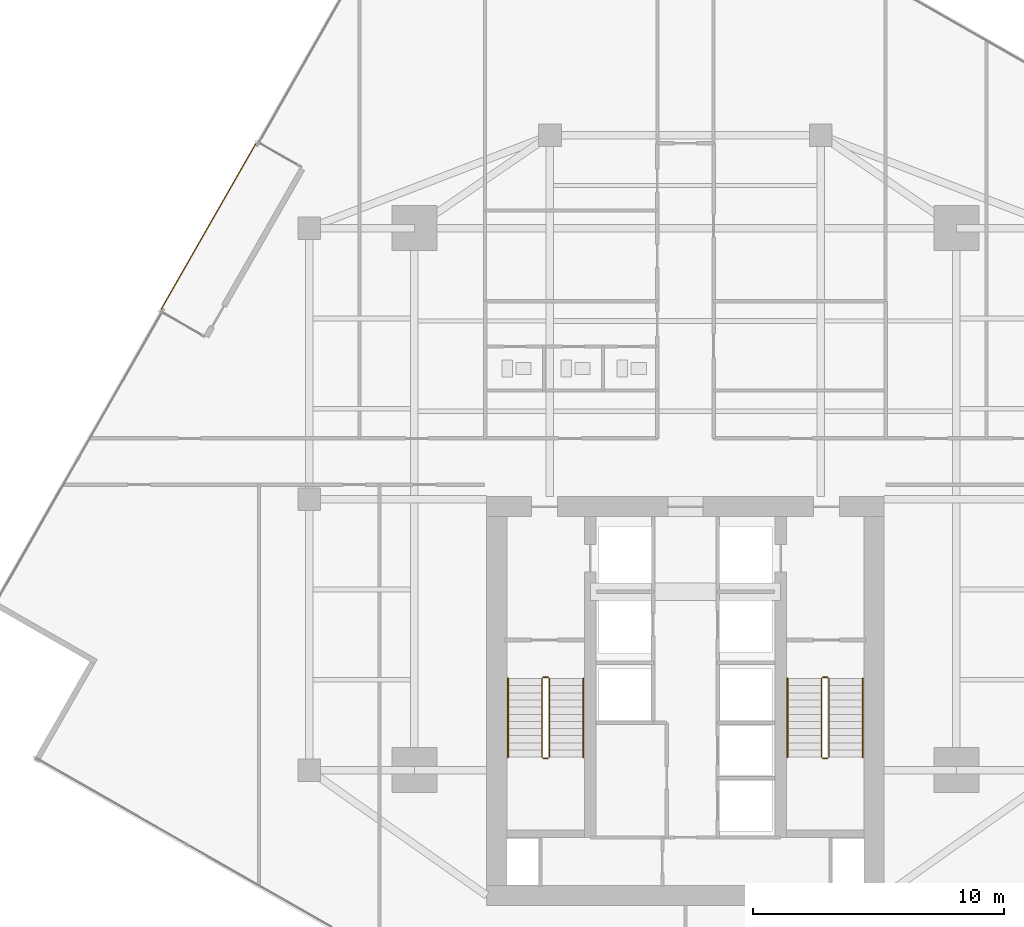
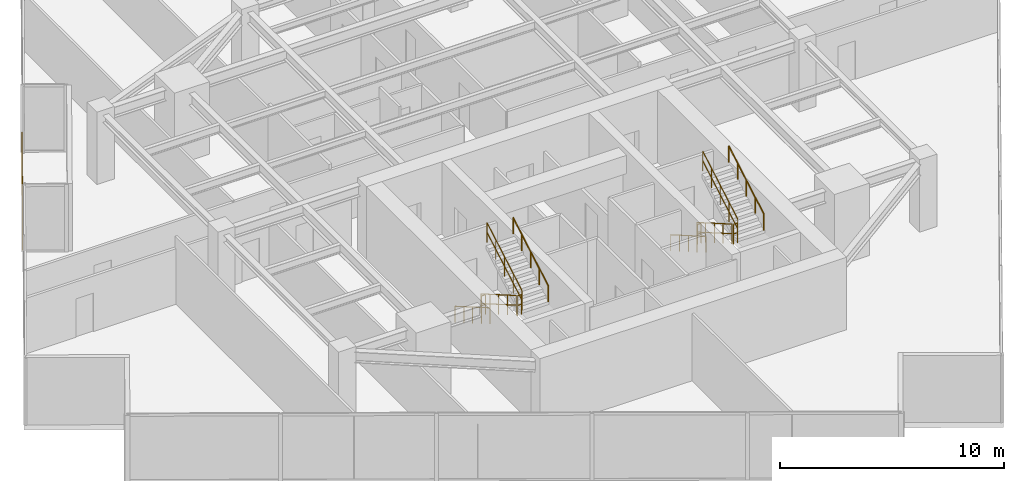
# One storey, part 23 of 24: 13 railings.
"""IFC4 building model written with IfcOpenShell, lengths in metres."""

import ifcopenshell
import ifcopenshell.guid

model = None  # the IFC model being written
_history = None  # IfcOwnerHistory: only IFC2X3 demands one
_inside = {}  # id of a spatial element -> (the spatial element, [elements in it])
_under = {}  # id of a project, library or spatial element -> (it, [spatial elements below it])
_declared = {}  # id of a project -> (the project, [libraries it declares])
_typed = {}  # id of a type object -> (the type object, [elements of that type])
_made_of = {}  # id of a material, layer set ... -> (it, [elements and type objects made of it])


def new_model(schema):
    """Start an empty IFC model of exactly this schema.

    Asked for "IFC4X3", IfcOpenShell would pick the latest addendum, in which some entities
    have other attributes; the version numbers below select the first issue.
    IFC2X3 requires an IfcOwnerHistory on every rooted entity: one is made here for all.
    """
    global model, _history
    if schema == "IFC4X3":
        model = ifcopenshell.file(schema_version=(4, 3, 0, 0))
    else:
        model = ifcopenshell.file(schema=schema)
    _inside.clear()
    _under.clear()
    _declared.clear()
    _typed.clear()
    _made_of.clear()
    _history = None
    if model.schema == "IFC2X3":
        org = make("IfcOrganization", Name="unknown")
        user = make(
            "IfcPersonAndOrganization",
            ThePerson=make("IfcPerson", FamilyName="unknown"),
            TheOrganization=org,
        )
        app = make(
            "IfcApplication",
            ApplicationDeveloper=org,
            Version="unknown",
            ApplicationFullName="unknown",
            ApplicationIdentifier="unknown",
        )
        _history = make(
            "IfcOwnerHistory",
            OwningUser=user,
            OwningApplication=app,
            ChangeAction="ADDED",
            CreationDate=0,
        )
    return model


def make(cls, **values):
    """One entity of the class cls with the attributes given. An attribute that is None is left unset."""
    return model.create_entity(
        cls, **{name: value for name, value in values.items() if value is not None}
    )


def rooted(cls, **values):
    """An entity with a GlobalId (a new one), such as an element, a storey or a relation."""
    return make(cls, GlobalId=ifcopenshell.guid.new(), OwnerHistory=_history, **values)


def si_unit(unit_type, name, prefix=None):
    """IfcSIUnit, for example si_unit("LENGTHUNIT", "METRE", prefix="MILLI")."""
    return make("IfcSIUnit", UnitType=unit_type, Prefix=prefix, Name=name)


def assignment(units):
    """IfcUnitAssignment: the units of a project."""
    return None if units is None else make("IfcUnitAssignment", Units=units)


def point(xyz):
    """IfcCartesianPoint."""
    return None if xyz is None else make("IfcCartesianPoint", Coordinates=xyz)


def direction(xyz):
    """IfcDirection."""
    return None if xyz is None else make("IfcDirection", DirectionRatios=xyz)


def frame(location, z_axis=None, x_axis=None):
    """IfcAxis2Placement3D, a coordinate frame: its origin and axes. An axis left out is left unset."""
    return make(
        "IfcAxis2Placement3D",
        Location=point(location),
        Axis=direction(z_axis),
        RefDirection=direction(x_axis),
    )


def frame_2d(location, x_axis=None):
    """IfcAxis2Placement2D, a coordinate frame in the plane: its origin and x axis."""
    return make(
        "IfcAxis2Placement2D", Location=point(location), RefDirection=direction(x_axis)
    )


def origin():
    """The frame at (0, 0, 0) with its axes left unset."""
    return frame((0.0, 0.0, 0.0))


def origin_2d():
    """The frame at (0, 0) in the plane with its x axis left unset."""
    return frame_2d((0.0, 0.0))


def place(relative_to, where):
    """IfcLocalPlacement: puts the frame where relative to a parent placement (None: the world)."""
    return make(
        "IfcLocalPlacement", PlacementRelTo=relative_to, RelativePlacement=where
    )


def context(
    kind, dimensions, precision=None, world=None, true_north=None, identifier=None
):
    """IfcGeometricRepresentationContext, for example the 3D "Model" context."""
    return make(
        "IfcGeometricRepresentationContext",
        ContextIdentifier=identifier,
        ContextType=kind,
        CoordinateSpaceDimension=dimensions,
        Precision=precision,
        WorldCoordinateSystem=world,
        TrueNorth=true_north,
    )


def subcontext(parent, identifier, kind, view, scale=None):
    """IfcGeometricRepresentationSubContext, for example "Body" below "Model"."""
    return make(
        "IfcGeometricRepresentationSubContext",
        ContextIdentifier=identifier,
        ContextType=kind,
        ParentContext=parent,
        TargetScale=scale,
        TargetView=view,
    )


def project(units=None, contexts=None):
    """IfcProject with its units and contexts."""
    return rooted(
        "IfcProject",
        Name="project",
        RepresentationContexts=contexts,
        UnitsInContext=assignment(units),
    )


def spatial(cls, under=None, at=None, **own):
    """A site, building, storey or space (cls), placed at a placement, below another one or the project."""
    s = rooted(cls, ObjectPlacement=at, **own)
    if under is not None:
        _under.setdefault(under.id(), (under, []))[1].append(s)
    return s


def profile(cls, at=None, kind="AREA", **sizes):
    """A parametric profile (cls). Its sizes go by their IFC names, for example OverallWidth=200.0."""
    return make(cls, ProfileType=kind, Position=at, **sizes)


def circle(**sizes):
    """IfcCircleProfileDef."""
    return profile("IfcCircleProfileDef", **sizes)


def extrude(swept, where, along, depth):
    """IfcExtrudedAreaSolid: the profile swept, set in the frame where, extruded along a direction by depth."""
    return make(
        "IfcExtrudedAreaSolid",
        SweptArea=swept,
        Position=where,
        ExtrudedDirection=direction(along),
        Depth=depth,
    )


def shape(context_of_items, identifier, shape_type, items):
    """IfcShapeRepresentation: the items that make up one representation, for example the "Body"."""
    return make(
        "IfcShapeRepresentation",
        ContextOfItems=context_of_items,
        RepresentationIdentifier=identifier,
        RepresentationType=shape_type,
        Items=items,
    )


def material(Name=None, Category=None):
    """IfcMaterial."""
    return make("IfcMaterial", Name=Name, Category=Category)


def layer(
    of_material, thickness, ventilated=None, Name=None, Category=None, Priority=None
):
    """IfcMaterialLayer: one layer of a wall or slab, of a material (None: an air gap)."""
    return make(
        "IfcMaterialLayer",
        Material=of_material,
        LayerThickness=thickness,
        IsVentilated=ventilated,
        Name=Name,
        Category=Category,
        Priority=Priority,
    )


def layer_set(layers, Name=None):
    """IfcMaterialLayerSet."""
    return make("IfcMaterialLayerSet", MaterialLayers=layers, LayerSetName=Name)


def made_of(thing, what):
    """Note that an element or type object is made of a material, layer set ...; save() writes the relation."""
    if what is not None:
        _made_of.setdefault(what.id(), (what, []))[1].append(thing)
    return thing


def type_object(cls, material=None, **own):
    """A type object (cls), such as IfcWallType, which elements share."""
    return made_of(rooted(cls, **own), material)


def element(
    cls,
    number,
    at=None,
    inside=None,
    cuts=None,
    type_object=None,
    material=None,
    context=None,
    identifier="Body",
    shape_type=None,
    held_by="IfcProductDefinitionShape",
    body=None,
    shapes=None,
    **own,
):
    """One element of the class cls, such as IfcWall. Its Tag is "e" and its number.

    at: its placement. inside: the storey or other place that contains it. cuts: it is an
    opening in that element (IfcRelVoidsElement). A single representation is given by context,
    identifier, shape_type and body (its items); several are given by shapes. held_by: the class
    of the entity that holds the representations. save() writes the other relations.
    """
    e = rooted(cls, Tag="e%d" % number, ObjectPlacement=at, **own)
    if body is not None:
        shapes = [shape(context, identifier, shape_type, body)]
    if shapes is not None:
        e.Representation = make(held_by, Representations=shapes)
    if inside is not None:
        _inside.setdefault(inside.id(), (inside, []))[1].append(e)
    if cuts is not None:
        rooted(
            "IfcRelVoidsElement", RelatingBuildingElement=cuts, RelatedOpeningElement=e
        )
    if type_object is not None:
        _typed.setdefault(type_object.id(), (type_object, []))[1].append(e)
    return made_of(e, material)


def aggregate(whole, parts):
    """IfcRelAggregates: a whole, such as a stair, and the parts it consists of."""
    return rooted("IfcRelAggregates", RelatingObject=whole, RelatedObjects=parts)


def save(model, path):
    """Write the relations noted so far, then the file.

    IfcRelAggregates (storeys below a building ...), IfcRelContainedInSpatialStructure (elements
    in a storey), IfcRelDefinesByType, IfcRelAssociatesMaterial and IfcRelDeclares: one each for
    every whole, place, type object, material and project.
    """
    for whole, parts in _under.values():
        aggregate(whole, parts)
    for where, things in _inside.values():
        rooted(
            "IfcRelContainedInSpatialStructure",
            RelatedElements=things,
            RelatingStructure=where,
        )
    for kind, things in _typed.values():
        rooted("IfcRelDefinesByType", RelatedObjects=things, RelatingType=kind)
    for what, things in _made_of.values():
        rooted("IfcRelAssociatesMaterial", RelatedObjects=things, RelatingMaterial=what)
    for by, libraries in _declared.values():
        rooted("IfcRelDeclares", RelatingContext=by, RelatedDefinitions=libraries)
    model.write(path)


model = new_model("IFC4")

# Units and contexts
model_context = context("Model", 3, precision=1e-05, world=origin(), true_north=direction((0.0, 1.0)))
body_context = subcontext(model_context, "Body", "Model", "MODEL_VIEW")
ifc_project = project(units=[si_unit("LENGTHUNIT", "METRE"), si_unit("AREAUNIT", "SQUARE_METRE"), si_unit("VOLUMEUNIT", "CUBIC_METRE"), si_unit("PLANEANGLEUNIT", "RADIAN"), si_unit("MASSUNIT", "GRAM", prefix="KILO")], contexts=[model_context])

# Site, building, storey
site_placement = place(None, origin())
site = spatial("IfcSite", under=ifc_project, at=site_placement, CompositionType="ELEMENT")
building_placement = place(site_placement, origin())
building = spatial("IfcBuilding", under=site, at=building_placement, Name="Krantzveldt Concourse Tower", CompositionType="ELEMENT")
storey_placement = place(building_placement, frame((0.0, 0.0, 165.949951171875)))
storey = spatial("IfcBuildingStorey", under=building, at=storey_placement, Name="L40", CompositionType="ELEMENT", Elevation=165.949951171875)

# Railings
ifc_material = material(Name="Stainless steel 316L", Category="steel")
ifc_layer_1 = layer(ifc_material, 0.080078125, Name="Stainless steel 316L", Category="steel")
ifc_layer_set_1 = layer_set([ifc_layer_1], Name="Stainless steel 316L (RL-BALUSTRADE-1150)")
railing_type_1 = type_object("IfcRailingType", Name="RL-BALUSTRADE-1150", PredefinedType="BALUSTRADE", material=ifc_layer_set_1)
railing_1_placement = place(storey_placement, frame((18.8720703125, 40.8662109375, 0.0)))
element("IfcRailing", 1, at=railing_1_placement, inside=storey, type_object=railing_type_1, Name="GD-L40-CTER-01", PredefinedType="BALUSTRADE", context=body_context, shape_type="SweptSolid", body=[
    extrude(circle(Radius=0.02392578125, at=origin_2d()), frame((0.0, 0.0, 1.1259765625), z_axis=(-0.496225424633, -0.868193715681, 0.0), x_axis=(0.868193715681, -0.496225424633, 0.0)), (0.0, 0.0, 1.0), 7.599853515625),
    extrude(circle(Radius=0.02392578125, at=origin_2d()), frame((0.0, 0.0, 0.574951171875), z_axis=(-0.496225424633, -0.868193715681, 0.0), x_axis=(0.868193715681, -0.496225424633, 0.0)), (0.0, 0.0, 1.0), 7.599853515625),
    extrude(circle(Radius=0.02099609375, at=origin_2d()), origin(), (0.0, 0.0, 1.0), 1.101806640625),
    extrude(circle(Radius=0.02099609375, at=origin_2d()), frame((-0.538818359375, -0.942626953125, 0.0)), (0.0, 0.0, 1.0), 1.101806640625),
    extrude(circle(Radius=0.02099609375, at=origin_2d()), frame((-1.077392578125, -1.88525390625, 0.0)), (0.0, 0.0, 1.0), 1.101806640625),
    extrude(circle(Radius=0.02099609375, at=origin_2d()), frame((-1.6162109375, -2.827880859375, 0.0)), (0.0, 0.0, 1.0), 1.101806640625),
    extrude(circle(Radius=0.02099609375, at=origin_2d()), frame((-2.155029296875, -3.770263671875, 0.0)), (0.0, 0.0, 1.0), 1.101806640625),
    extrude(circle(Radius=0.02099609375, at=origin_2d()), frame((-2.69384765625, -4.712890625, 0.0)), (0.0, 0.0, 1.0), 1.101806640625),
    extrude(circle(Radius=0.02099609375, at=origin_2d()), frame((-3.232421875, -5.655517578125, 0.0)), (0.0, 0.0, 1.0), 1.101806640625),
    extrude(circle(Radius=0.02099609375, at=origin_2d()), frame((-3.771240234375, -6.59814453125, 0.0)), (0.0, 0.0, 1.0), 1.101806640625),
])
ifc_layer_2 = layer(ifc_material, 0.06005859375, Name="Stainless steel 316L", Category="steel")
ifc_layer_set_2 = layer_set([ifc_layer_2], Name="Stainless steel 316L (RL-GUARD-1120)")
railing_type_2 = type_object("IfcRailingType", Name="RL-GUARD-1120", PredefinedType="GUARDRAIL", material=ifc_layer_set_2)
railing_2_placement = place(storey_placement, frame((30.280029296875, 19.550048828125, 0.16455078125)))
element("IfcRailing", 2, at=railing_2_placement, inside=storey, type_object=railing_type_2, Name="L40 ST-1 stair guard 1", PredefinedType="GUARDRAIL", context=body_context, shape_type="SweptSolid", body=[
    extrude(circle(Radius=0.02392578125, at=origin_2d()), frame((0.0, 0.0, 1.076171875), z_axis=(0.0, -0.865959834175, 0.500113552702), x_axis=(1.0, 0.0, 0.0)), (0.0, 0.0, 1.0), 3.620361328125),
    extrude(circle(Radius=0.02392578125, at=origin_2d()), frame((0.0, 0.0, 0.550048828125), z_axis=(0.0, -0.865959834175, 0.500113552702), x_axis=(1.0, 0.0, 0.0)), (0.0, 0.0, 1.0), 3.620361328125),
    extrude(circle(Radius=0.02099609375, at=origin_2d()), origin(), (0.0, 0.0, 1.0), 1.052001953125),
    extrude(circle(Radius=0.02099609375, at=origin_2d()), frame((0.0, -0.78369140625, 0.45263671875)), (0.0, 0.0, 1.0), 1.052001953125),
    extrude(circle(Radius=0.02099609375, at=origin_2d()), frame((0.0, -1.5673828125, 0.9052734375)), (0.0, 0.0, 1.0), 1.052001953125),
    extrude(circle(Radius=0.02099609375, at=origin_2d()), frame((0.0, -2.351318359375, 1.35791015625)), (0.0, 0.0, 1.0), 1.052001953125),
    extrude(circle(Radius=0.02099609375, at=origin_2d()), frame((0.0, -3.135009765625, 1.810546875)), (0.0, 0.0, 1.0), 1.052001953125),
])
railing_3_placement = place(storey_placement, frame((30.330078125, 16.364990234375, 1.97509765625)))
element("IfcRailing", 3, at=railing_3_placement, inside=storey, type_object=railing_type_2, Name="L40 ST-1 stair guard 2", PredefinedType="GUARDRAIL", context=body_context, shape_type="SweptSolid", body=[
    extrude(circle(Radius=0.02392578125, at=origin_2d()), frame((0.0, 0.0, 1.076171875), z_axis=(1.0, 0.0, 0.0), x_axis=(0.0, 1.0, 0.0)), (0.0, 0.0, 1.0), 0.199951171875),
    extrude(circle(Radius=0.02392578125, at=origin_2d()), frame((0.0, 0.0, 0.550048828125), z_axis=(1.0, 0.0, 0.0), x_axis=(0.0, 1.0, 0.0)), (0.0, 0.0, 1.0), 0.199951171875),
    extrude(circle(Radius=0.02099609375, at=origin_2d()), origin(), (0.0, 0.0, 1.0), 1.052001953125),
    extrude(circle(Radius=0.02099609375, at=origin_2d()), frame((0.199951171875, 0.0, 0.0)), (0.0, 0.0, 1.0), 1.052001953125),
])
railing_4_placement = place(storey_placement, frame((30.580078125, 16.4150390625, 2.1396484375)))
element("IfcRailing", 4, at=railing_4_placement, inside=storey, type_object=railing_type_2, Name="L40 ST-1 stair guard 3", PredefinedType="GUARDRAIL", context=body_context, shape_type="SweptSolid", body=[
    extrude(circle(Radius=0.02392578125, at=origin_2d()), frame((0.0, 0.0, 1.076171875), z_axis=(0.0, 0.865989039225, 0.500062979975), x_axis=(-1.0, 0.0, 0.0)), (0.0, 0.0, 1.0), 3.6201171875),
    extrude(circle(Radius=0.02392578125, at=origin_2d()), frame((0.0, 0.0, 0.550048828125), z_axis=(0.0, 0.865989039225, 0.500062979975), x_axis=(-1.0, 0.0, 0.0)), (0.0, 0.0, 1.0), 3.6201171875),
    extrude(circle(Radius=0.02099609375, at=origin_2d()), origin(), (0.0, 0.0, 1.0), 1.052001953125),
    extrude(circle(Radius=0.02099609375, at=origin_2d()), frame((0.0, 0.78369140625, 0.45263671875)), (0.0, 0.0, 1.0), 1.052001953125),
    extrude(circle(Radius=0.02099609375, at=origin_2d()), frame((0.0, 1.5673828125, 0.9052734375)), (0.0, 0.0, 1.0), 1.052001953125),
    extrude(circle(Radius=0.02099609375, at=origin_2d()), frame((0.0, 2.351318359375, 1.357666015625)), (0.0, 0.0, 1.0), 1.052001953125),
    extrude(circle(Radius=0.02099609375, at=origin_2d()), frame((0.0, 3.135009765625, 1.810302734375)), (0.0, 0.0, 1.0), 1.052001953125),
])
railing_5_placement = place(storey_placement, frame((30.330078125, 19.60009765625, 0.0)))
element("IfcRailing", 5, at=railing_5_placement, inside=storey, type_object=railing_type_2, Name="L40 ST-1 stair guard 4", PredefinedType="GUARDRAIL", context=body_context, shape_type="SweptSolid", body=[
    extrude(circle(Radius=0.02392578125, at=origin_2d()), frame((0.0, 0.0, 1.076171875), z_axis=(1.0, 0.0, 0.0), x_axis=(0.0, 1.0, 0.0)), (0.0, 0.0, 1.0), 0.199951171875),
    extrude(circle(Radius=0.02392578125, at=origin_2d()), frame((0.0, 0.0, 0.550048828125), z_axis=(1.0, 0.0, 0.0), x_axis=(0.0, 1.0, 0.0)), (0.0, 0.0, 1.0), 0.199951171875),
    extrude(circle(Radius=0.02099609375, at=origin_2d()), origin(), (0.0, 0.0, 1.0), 1.052001953125),
    extrude(circle(Radius=0.02099609375, at=origin_2d()), frame((0.199951171875, 0.0, 0.0)), (0.0, 0.0, 1.0), 1.052001953125),
])
railing_6_placement = place(storey_placement, frame((41.419921875, 19.550048828125, 0.16455078125)))
element("IfcRailing", 6, at=railing_6_placement, inside=storey, type_object=railing_type_2, Name="L40 ST-2 stair guard 1", PredefinedType="GUARDRAIL", context=body_context, shape_type="SweptSolid", body=[
    extrude(circle(Radius=0.02392578125, at=origin_2d()), frame((0.0, 0.0, 1.076171875), z_axis=(0.0, -0.865959834175, 0.500113552702), x_axis=(1.0, 0.0, 0.0)), (0.0, 0.0, 1.0), 3.620361328125),
    extrude(circle(Radius=0.02392578125, at=origin_2d()), frame((0.0, 0.0, 0.550048828125), z_axis=(0.0, -0.865959834175, 0.500113552702), x_axis=(1.0, 0.0, 0.0)), (0.0, 0.0, 1.0), 3.620361328125),
    extrude(circle(Radius=0.02099609375, at=origin_2d()), origin(), (0.0, 0.0, 1.0), 1.052001953125),
    extrude(circle(Radius=0.02099609375, at=origin_2d()), frame((0.0, -0.78369140625, 0.45263671875)), (0.0, 0.0, 1.0), 1.052001953125),
    extrude(circle(Radius=0.02099609375, at=origin_2d()), frame((0.0, -1.5673828125, 0.9052734375)), (0.0, 0.0, 1.0), 1.052001953125),
    extrude(circle(Radius=0.02099609375, at=origin_2d()), frame((0.0, -2.351318359375, 1.35791015625)), (0.0, 0.0, 1.0), 1.052001953125),
    extrude(circle(Radius=0.02099609375, at=origin_2d()), frame((0.0, -3.135009765625, 1.810546875)), (0.0, 0.0, 1.0), 1.052001953125),
])
railing_7_placement = place(storey_placement, frame((41.469970703125, 16.364990234375, 1.97509765625)))
element("IfcRailing", 7, at=railing_7_placement, inside=storey, type_object=railing_type_2, Name="L40 ST-2 stair guard 2", PredefinedType="GUARDRAIL", context=body_context, shape_type="SweptSolid", body=[
    extrude(circle(Radius=0.02392578125, at=origin_2d()), frame((0.0, 0.0, 1.076171875), z_axis=(1.0, 0.0, 0.0), x_axis=(0.0, 1.0, 0.0)), (0.0, 0.0, 1.0), 0.199951171875),
    extrude(circle(Radius=0.02392578125, at=origin_2d()), frame((0.0, 0.0, 0.550048828125), z_axis=(1.0, 0.0, 0.0), x_axis=(0.0, 1.0, 0.0)), (0.0, 0.0, 1.0), 0.199951171875),
    extrude(circle(Radius=0.02099609375, at=origin_2d()), origin(), (0.0, 0.0, 1.0), 1.052001953125),
    extrude(circle(Radius=0.02099609375, at=origin_2d()), frame((0.199951171875, 0.0, 0.0)), (0.0, 0.0, 1.0), 1.052001953125),
])
railing_8_placement = place(storey_placement, frame((41.719970703125, 16.4150390625, 2.1396484375)))
element("IfcRailing", 8, at=railing_8_placement, inside=storey, type_object=railing_type_2, Name="L40 ST-2 stair guard 3", PredefinedType="GUARDRAIL", context=body_context, shape_type="SweptSolid", body=[
    extrude(circle(Radius=0.02392578125, at=origin_2d()), frame((0.0, 0.0, 1.076171875), z_axis=(0.0, 0.865989039225, 0.500062979975), x_axis=(-1.0, 0.0, 0.0)), (0.0, 0.0, 1.0), 3.6201171875),
    extrude(circle(Radius=0.02392578125, at=origin_2d()), frame((0.0, 0.0, 0.550048828125), z_axis=(0.0, 0.865989039225, 0.500062979975), x_axis=(-1.0, 0.0, 0.0)), (0.0, 0.0, 1.0), 3.6201171875),
    extrude(circle(Radius=0.02099609375, at=origin_2d()), origin(), (0.0, 0.0, 1.0), 1.052001953125),
    extrude(circle(Radius=0.02099609375, at=origin_2d()), frame((0.0, 0.78369140625, 0.45263671875)), (0.0, 0.0, 1.0), 1.052001953125),
    extrude(circle(Radius=0.02099609375, at=origin_2d()), frame((0.0, 1.5673828125, 0.9052734375)), (0.0, 0.0, 1.0), 1.052001953125),
    extrude(circle(Radius=0.02099609375, at=origin_2d()), frame((0.0, 2.351318359375, 1.357666015625)), (0.0, 0.0, 1.0), 1.052001953125),
    extrude(circle(Radius=0.02099609375, at=origin_2d()), frame((0.0, 3.135009765625, 1.810302734375)), (0.0, 0.0, 1.0), 1.052001953125),
])
railing_9_placement = place(storey_placement, frame((41.469970703125, 19.60009765625, 0.0)))
element("IfcRailing", 9, at=railing_9_placement, inside=storey, type_object=railing_type_2, Name="L40 ST-2 stair guard 4", PredefinedType="GUARDRAIL", context=body_context, shape_type="SweptSolid", body=[
    extrude(circle(Radius=0.02392578125, at=origin_2d()), frame((0.0, 0.0, 1.076171875), z_axis=(1.0, 0.0, 0.0), x_axis=(0.0, 1.0, 0.0)), (0.0, 0.0, 1.0), 0.199951171875),
    extrude(circle(Radius=0.02392578125, at=origin_2d()), frame((0.0, 0.0, 0.550048828125), z_axis=(1.0, 0.0, 0.0), x_axis=(0.0, 1.0, 0.0)), (0.0, 0.0, 1.0), 0.199951171875),
    extrude(circle(Radius=0.02099609375, at=origin_2d()), origin(), (0.0, 0.0, 1.0), 1.052001953125),
    extrude(circle(Radius=0.02099609375, at=origin_2d()), frame((0.199951171875, 0.0, 0.0)), (0.0, 0.0, 1.0), 1.052001953125),
])
ifc_layer_3 = layer(ifc_material, 0.050048828125, Name="Stainless steel 316L", Category="steel")
ifc_layer_set_3 = layer_set([ifc_layer_3], Name="Stainless steel 316L (RL-HANDRAIL-920)")
railing_type_3 = type_object("IfcRailingType", Name="RL-HANDRAIL-920", PredefinedType="HANDRAIL", material=ifc_layer_set_3)
railing_10_placement = place(storey_placement, frame((28.929931640625, 19.550048828125, 0.16455078125)))
element("IfcRailing", 10, at=railing_10_placement, inside=storey, type_object=railing_type_3, Name="L40 ST-1 stair handrail 1", PredefinedType="HANDRAIL", context=body_context, shape_type="SweptSolid", body=[
    extrude(circle(Radius=0.02392578125, at=origin_2d()), frame((0.0, 0.0, 0.8759765625), z_axis=(0.0, -0.865959834175, 0.500113552702), x_axis=(1.0, 0.0, 0.0)), (0.0, 0.0, 1.0), 3.620361328125),
    extrude(circle(Radius=0.02099609375, at=origin_2d()), origin(), (0.0, 0.0, 1.0), 0.851806640625),
    extrude(circle(Radius=0.02099609375, at=origin_2d()), frame((0.0, -0.78369140625, 0.45263671875)), (0.0, 0.0, 1.0), 0.851806640625),
    extrude(circle(Radius=0.02099609375, at=origin_2d()), frame((0.0, -1.5673828125, 0.9052734375)), (0.0, 0.0, 1.0), 0.851806640625),
    extrude(circle(Radius=0.02099609375, at=origin_2d()), frame((0.0, -2.351318359375, 1.35791015625)), (0.0, 0.0, 1.0), 0.851806640625),
    extrude(circle(Radius=0.02099609375, at=origin_2d()), frame((0.0, -3.135009765625, 1.810546875)), (0.0, 0.0, 1.0), 0.851806640625),
])
railing_11_placement = place(storey_placement, frame((31.929931640625, 16.4150390625, 2.1396484375)))
element("IfcRailing", 11, at=railing_11_placement, inside=storey, type_object=railing_type_3, Name="L40 ST-1 stair handrail 2", PredefinedType="HANDRAIL", context=body_context, shape_type="SweptSolid", body=[
    extrude(circle(Radius=0.02392578125, at=origin_2d()), frame((0.0, 0.0, 0.8759765625), z_axis=(0.0, 0.865989039225, 0.500062979975), x_axis=(-1.0, 0.0, 0.0)), (0.0, 0.0, 1.0), 3.6201171875),
    extrude(circle(Radius=0.02099609375, at=origin_2d()), origin(), (0.0, 0.0, 1.0), 0.851806640625),
    extrude(circle(Radius=0.02099609375, at=origin_2d()), frame((0.0, 0.78369140625, 0.45263671875)), (0.0, 0.0, 1.0), 0.851806640625),
    extrude(circle(Radius=0.02099609375, at=origin_2d()), frame((0.0, 1.5673828125, 0.9052734375)), (0.0, 0.0, 1.0), 0.851806640625),
    extrude(circle(Radius=0.02099609375, at=origin_2d()), frame((0.0, 2.351318359375, 1.357666015625)), (0.0, 0.0, 1.0), 0.851806640625),
    extrude(circle(Radius=0.02099609375, at=origin_2d()), frame((0.0, 3.135009765625, 1.810302734375)), (0.0, 0.0, 1.0), 0.851806640625),
])
railing_12_placement = place(storey_placement, frame((40.070068359375, 19.550048828125, 0.16455078125)))
element("IfcRailing", 12, at=railing_12_placement, inside=storey, type_object=railing_type_3, Name="L40 ST-2 stair handrail 1", PredefinedType="HANDRAIL", context=body_context, shape_type="SweptSolid", body=[
    extrude(circle(Radius=0.02392578125, at=origin_2d()), frame((0.0, 0.0, 0.8759765625), z_axis=(0.0, -0.865959834175, 0.500113552702), x_axis=(1.0, 0.0, 0.0)), (0.0, 0.0, 1.0), 3.620361328125),
    extrude(circle(Radius=0.02099609375, at=origin_2d()), origin(), (0.0, 0.0, 1.0), 0.851806640625),
    extrude(circle(Radius=0.02099609375, at=origin_2d()), frame((0.0, -0.78369140625, 0.45263671875)), (0.0, 0.0, 1.0), 0.851806640625),
    extrude(circle(Radius=0.02099609375, at=origin_2d()), frame((0.0, -1.5673828125, 0.9052734375)), (0.0, 0.0, 1.0), 0.851806640625),
    extrude(circle(Radius=0.02099609375, at=origin_2d()), frame((0.0, -2.351318359375, 1.35791015625)), (0.0, 0.0, 1.0), 0.851806640625),
    extrude(circle(Radius=0.02099609375, at=origin_2d()), frame((0.0, -3.135009765625, 1.810546875)), (0.0, 0.0, 1.0), 0.851806640625),
])
railing_13_placement = place(storey_placement, frame((43.070068359375, 16.4150390625, 2.1396484375)))
element("IfcRailing", 13, at=railing_13_placement, inside=storey, type_object=railing_type_3, Name="L40 ST-2 stair handrail 2", PredefinedType="HANDRAIL", context=body_context, shape_type="SweptSolid", body=[
    extrude(circle(Radius=0.02392578125, at=origin_2d()), frame((0.0, 0.0, 0.8759765625), z_axis=(0.0, 0.865989039225, 0.500062979975), x_axis=(-1.0, 0.0, 0.0)), (0.0, 0.0, 1.0), 3.6201171875),
    extrude(circle(Radius=0.02099609375, at=origin_2d()), origin(), (0.0, 0.0, 1.0), 0.851806640625),
    extrude(circle(Radius=0.02099609375, at=origin_2d()), frame((0.0, 0.78369140625, 0.45263671875)), (0.0, 0.0, 1.0), 0.851806640625),
    extrude(circle(Radius=0.02099609375, at=origin_2d()), frame((0.0, 1.5673828125, 0.9052734375)), (0.0, 0.0, 1.0), 0.851806640625),
    extrude(circle(Radius=0.02099609375, at=origin_2d()), frame((0.0, 2.351318359375, 1.357666015625)), (0.0, 0.0, 1.0), 0.851806640625),
    extrude(circle(Radius=0.02099609375, at=origin_2d()), frame((0.0, 3.135009765625, 1.810302734375)), (0.0, 0.0, 1.0), 0.851806640625),
])

save(model, "model.ifc")
